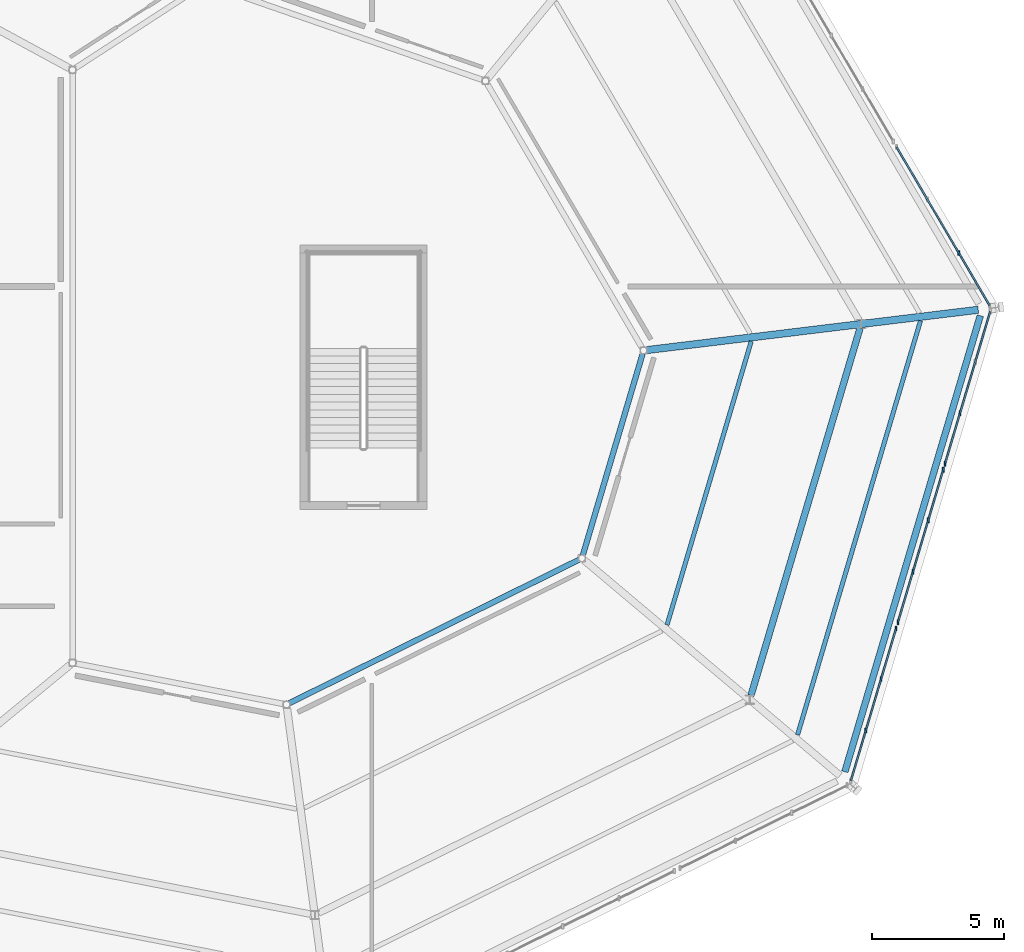
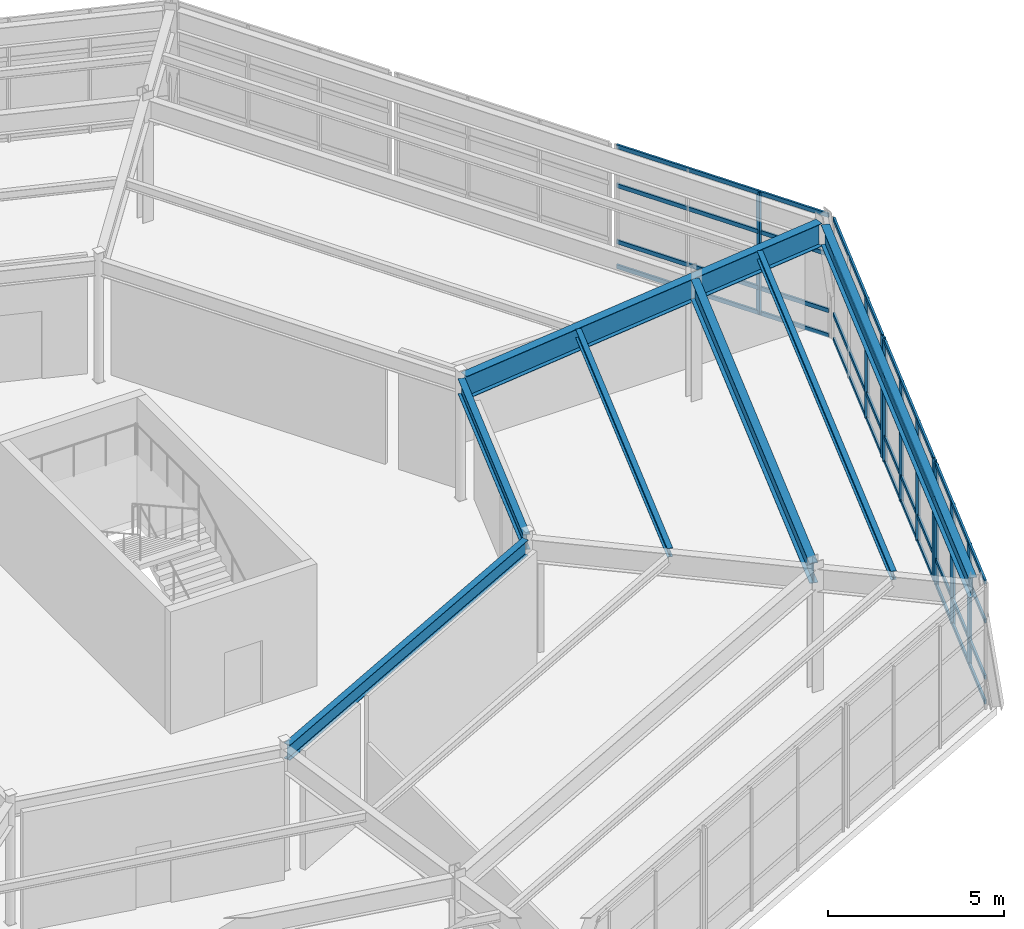
# One storey, part 34 of 69: 26 members, 7 beams, 4 elements without a shape of their own.
"""IFC4 building model written with IfcOpenShell, lengths in metres."""

from ifc_helpers import new_model, si_unit, direction, frame, origin, origin_2d, place, context, subcontext, project, spatial, rectangle, i_section, extrude, material, material_profile, profile_set, type_object, element, aggregate, save


model = new_model("IFC4")

# Units and contexts
model_context = context("Model", 3, precision=1e-05, world=origin(), true_north=direction((0.0, 1.0)))
body_context = subcontext(model_context, "Body", "Model", "MODEL_VIEW")
ifc_project = project(units=[si_unit("LENGTHUNIT", "METRE"), si_unit("AREAUNIT", "SQUARE_METRE"), si_unit("VOLUMEUNIT", "CUBIC_METRE"), si_unit("PLANEANGLEUNIT", "RADIAN"), si_unit("MASSUNIT", "GRAM", prefix="KILO")], contexts=[model_context])

# Site, building, storey
site_placement = place(None, origin())
site = spatial("IfcSite", under=ifc_project, at=site_placement, CompositionType="ELEMENT")
building_placement = place(site_placement, origin())
building = spatial("IfcBuilding", under=site, at=building_placement, Name="Sarnbrook Museum", CompositionType="ELEMENT")
storey_placement = place(building_placement, frame((0.0, 0.0, 14.60009765625)))
storey = spatial("IfcBuildingStorey", under=building, at=storey_placement, Name="L03", CompositionType="ELEMENT", Elevation=14.60009765625)

# Beams
ifc_material_1 = material(Name="Structural Steel Grade 300PLUS (AS/NZS 3679.1, fy = 280 MPa for 17 < t <= 40 mm, 300 MPa for t <= 17 mm)", Category="steel")
ifc_material_profile_1 = material_profile(ifc_material_1, i_section(OverallWidth=0.208984375, OverallDepth=0.532958984375, WebThickness=0.01025390625, FlangeThickness=0.015625, FilletRadius=0.013916015625, at=origin_2d()), Name="530UB92.4")
ifc_profile_set_1 = profile_set([ifc_material_profile_1], Name="Structural Steel Grade 300PLUS (AS/NZS 3679.1, fy = 280 MPa for 17 < t <= 40 mm, 300 MPa for t <= 17 mm)")
beam_type_1 = type_object("IfcBeamType", Name="BM-UB530", PredefinedType="BEAM", material=ifc_profile_set_1)
beam_1_placement = place(storey_placement, frame((140.99462890625, 72.882080078125, 3.973388671875), z_axis=(0.896163006555, 0.443724988796, 0.0), x_axis=(-0.443724988796, 0.896163006555, 0.0)))
element("IfcBeam", 1, at=beam_1_placement, inside=storey, type_object=beam_type_1, Name="Crystal Hall R2 Ring Girder 2 L03", PredefinedType="BEAM", context=body_context, shape_type="SweptSolid", body=[
    extrude(i_section(OverallWidth=0.208984375, OverallDepth=0.532958984375, WebThickness=0.01025390625, FlangeThickness=0.015625, FilletRadius=0.013916015625, at=origin_2d()), origin(), (0.0, 0.0, 1.0), 12.216796875),
])
beam_2_placement = place(storey_placement, frame((152.08447265625, 78.47119140625, 3.973388671875), z_axis=(0.284603578138, 0.958645295879, 0.0), x_axis=(-0.958645295879, 0.284603578138, 0.0)))
element("IfcBeam", 2, at=beam_2_placement, inside=storey, type_object=beam_type_1, Name="Crystal Hall R2 Ring Girder 3 L03", PredefinedType="BEAM", context=body_context, shape_type="SweptSolid", body=[
    extrude(i_section(OverallWidth=0.208984375, OverallDepth=0.532958984375, WebThickness=0.01025390625, FlangeThickness=0.015625, FilletRadius=0.013916015625, at=origin_2d()), origin(), (0.0, 0.0, 1.0), 7.952880859375),
])
ifc_material_2 = material(Name="Structural Steel Grade 350L0 (AS/NZS 3678, fy = 340 MPa for 20 < t <= 40 mm)", Category="steel")
ifc_material_profile_2 = material_profile(ifc_material_2, i_section(OverallWidth=0.25, OverallDepth=0.699951171875, WebThickness=0.010009765625, FlangeThickness=0.01611328125, at=origin_2d()), Name="700WB130")
ifc_profile_set_2 = profile_set([ifc_material_profile_2], Name="Structural Steel Grade 350L0 (AS/NZS 3678, fy = 340 MPa for 20 < t <= 40 mm)")
beam_type_2 = type_object("IfcBeamType", Name="BM-WB700", PredefinedType="BEAM", material=ifc_profile_set_2)
beam_3_placement = place(storey_placement, frame((161.98779296875, 70.28857421875, 3.889892578125), z_axis=(0.28460881643, 0.958643740714, 0.0), x_axis=(-0.958643740714, 0.28460881643, 0.0)))
element("IfcBeam", 3, at=beam_3_placement, inside=storey, type_object=beam_type_2, Name="Crystal Hall Perimeter Ring Girder 3 L03", PredefinedType="BEAM", context=body_context, shape_type="SweptSolid", body=[
    extrude(i_section(OverallWidth=0.25, OverallDepth=0.699951171875, WebThickness=0.010009765625, FlangeThickness=0.01611328125, at=origin_2d()), origin(), (0.0, 0.0, 1.0), 17.9814453125),
])
beam_4_placement = place(storey_placement, frame((158.438232421875, 73.169189453125, 3.889892578125), z_axis=(0.284607000201, 0.958644279927, 0.0), x_axis=(-0.958644279927, 0.284607000201, 0.0)))
element("IfcBeam", 4, at=beam_4_placement, inside=storey, type_object=beam_type_2, Name="Crystal Hall R1 Ring Girder 3 L03", PredefinedType="BEAM", context=body_context, shape_type="SweptSolid", body=[
    extrude(i_section(OverallWidth=0.25, OverallDepth=0.699951171875, WebThickness=0.010009765625, FlangeThickness=0.01611328125, at=origin_2d()), origin(), (0.0, 0.0, 1.0), 14.48681640625),
])
ifc_material_profile_3 = material_profile(ifc_material_2, i_section(OverallWidth=0.27490234375, OverallDepth=0.800048828125, WebThickness=0.010009765625, FlangeThickness=0.01611328125, at=origin_2d()), Name="800WB146")
ifc_profile_set_3 = profile_set([ifc_material_profile_3], Name="Structural Steel Grade 350L0 (AS/NZS 3678, fy = 340 MPa for 20 < t <= 40 mm)")
beam_type_3 = type_object("IfcBeamType", Name="CR-CANT", PredefinedType="BEAM", material=ifc_profile_set_3)
beam_5_placement = place(storey_placement, frame((154.501220703125, 86.224609375, 3.83984375), z_axis=(0.992685517343, 0.120728884935, 0.0), x_axis=(-0.120728884935, 0.992685517343, 0.0)))
element("IfcBeam", 5, at=beam_5_placement, inside=storey, type_object=beam_type_3, Name="Crystal Hall Radial Cantilever Girder 4 L03", PredefinedType="BEAM", context=body_context, shape_type="SweptSolid", body=[
    extrude(i_section(OverallWidth=0.27490234375, OverallDepth=0.800048828125, WebThickness=0.010009765625, FlangeThickness=0.01611328125, at=origin_2d()), origin(), (0.0, 0.0, 1.0), 12.61865234375),
])

# Curtain wall, members
ifc_material_3 = material(Name="Thermally Broken Anodised Aluminium 6063-T6", Category="aluminium")
curtain_wall_type = type_object("IfcCurtainWallType", Name="CurtainWall_CrystalFacet", PredefinedType="NOTDEFINED", material=ifc_material_3)
curtain_wall_1_placement = place(storey_placement, origin())
curtain_wall_1 = element("IfcCurtainWall", 6, at=curtain_wall_1_placement, inside=storey, type_object=curtain_wall_type, Name="Crystal Hall Facet Curtain Wall L03-F3.1", PredefinedType="NOTDEFINED")
ifc_material_profile_4 = material_profile(ifc_material_3, rectangle(XDim=0.06494140625, YDim=0.179931640625, at=origin_2d()), Name="ALU MULLION 65x180")
ifc_profile_set_4 = profile_set([ifc_material_profile_4], Name="Thermally Broken Anodised Aluminium 6063-T6")
member_type_1 = type_object("IfcMemberType", Name="CW_Mullion_180x75", PredefinedType="MULLION", material=ifc_profile_set_4)
member_1_placement = place(storey_placement, frame((162.77880859375, 71.851806640625, 0.0), z_axis=(0.0, 0.0, 1.0), x_axis=(1.0, 0.0, 0.0)))
member_1 = element("IfcMember", 7, at=member_1_placement, type_object=member_type_1, Name="Crystal Hall Facet Curtain Wall L03-F3.1 Mullion 2", PredefinedType="MULLION", context=body_context, shape_type="SweptSolid", body=[
    extrude(rectangle(XDim=0.06494140625, YDim=0.179931640625, at=origin_2d()), origin(), (0.0, 0.0, 1.0), 4.239990234375),
])
member_2_placement = place(storey_placement, frame((163.356689453125, 73.79833984375, 0.0), z_axis=(0.0, 0.0, 1.0), x_axis=(1.0, 0.0, 0.0)))
member_2 = element("IfcMember", 8, at=member_2_placement, type_object=member_type_1, Name="Crystal Hall Facet Curtain Wall L03-F3.1 Mullion 3", PredefinedType="MULLION", context=body_context, shape_type="SweptSolid", body=[
    extrude(rectangle(XDim=0.06494140625, YDim=0.179931640625, at=origin_2d()), origin(), (0.0, 0.0, 1.0), 4.239990234375),
])
member_3_placement = place(storey_placement, frame((163.923095703125, 75.70654296875, 0.0), z_axis=(0.0, 0.0, 1.0), x_axis=(1.0, 0.0, 0.0)))
member_3 = element("IfcMember", 9, at=member_3_placement, type_object=member_type_1, Name="Crystal Hall Facet Curtain Wall L03-F3.1 Mullion 4", PredefinedType="MULLION", context=body_context, shape_type="SweptSolid", body=[
    extrude(rectangle(XDim=0.06494140625, YDim=0.179931640625, at=origin_2d()), origin(), (0.0, 0.0, 1.0), 4.239990234375),
])

curtain_wall_2_placement = place(storey_placement, origin())
curtain_wall_2 = element("IfcCurtainWall", 10, at=curtain_wall_2_placement, inside=storey, type_object=curtain_wall_type, Name="Crystal Hall Facet Curtain Wall L03-F3.2", PredefinedType="NOTDEFINED")
member_4_placement = place(storey_placement, frame((163.991455078125, 75.9365234375, 0.0), z_axis=(0.0, 0.0, 1.0), x_axis=(1.0, 0.0, 0.0)))
member_4 = element("IfcMember", 11, at=member_4_placement, type_object=member_type_1, Name="Crystal Hall Facet Curtain Wall L03-F3.2 Mullion 1", PredefinedType="MULLION", context=body_context, shape_type="SweptSolid", body=[
    extrude(rectangle(XDim=0.06494140625, YDim=0.179931640625, at=origin_2d()), origin(), (0.0, 0.0, 1.0), 4.239990234375),
])
member_5_placement = place(storey_placement, frame((164.55810546875, 77.8447265625, 0.0), z_axis=(0.0, 0.0, 1.0), x_axis=(1.0, 0.0, 0.0)))
member_5 = element("IfcMember", 12, at=member_5_placement, type_object=member_type_1, Name="Crystal Hall Facet Curtain Wall L03-F3.2 Mullion 2", PredefinedType="MULLION", context=body_context, shape_type="SweptSolid", body=[
    extrude(rectangle(XDim=0.06494140625, YDim=0.179931640625, at=origin_2d()), origin(), (0.0, 0.0, 1.0), 4.239990234375),
])
member_6_placement = place(storey_placement, frame((165.135986328125, 79.791259765625, 0.0), z_axis=(0.0, 0.0, 1.0), x_axis=(1.0, 0.0, 0.0)))
member_6 = element("IfcMember", 13, at=member_6_placement, type_object=member_type_1, Name="Crystal Hall Facet Curtain Wall L03-F3.2 Mullion 3", PredefinedType="MULLION", context=body_context, shape_type="SweptSolid", body=[
    extrude(rectangle(XDim=0.06494140625, YDim=0.179931640625, at=origin_2d()), origin(), (0.0, 0.0, 1.0), 4.239990234375),
])
member_7_placement = place(storey_placement, frame((165.702392578125, 81.699462890625, 0.0), z_axis=(0.0, 0.0, 1.0), x_axis=(1.0, 0.0, 0.0)))
member_7 = element("IfcMember", 14, at=member_7_placement, type_object=member_type_1, Name="Crystal Hall Facet Curtain Wall L03-F3.2 Mullion 4", PredefinedType="MULLION", context=body_context, shape_type="SweptSolid", body=[
    extrude(rectangle(XDim=0.06494140625, YDim=0.179931640625, at=origin_2d()), origin(), (0.0, 0.0, 1.0), 4.239990234375),
])

curtain_wall_3_placement = place(storey_placement, origin())
curtain_wall_3 = element("IfcCurtainWall", 15, at=curtain_wall_3_placement, inside=storey, type_object=curtain_wall_type, Name="Crystal Hall Facet Curtain Wall L03-F3.3", PredefinedType="NOTDEFINED")
member_8_placement = place(storey_placement, frame((165.770751953125, 81.929443359375, 0.0), z_axis=(0.0, 0.0, 1.0), x_axis=(1.0, 0.0, 0.0)))
member_8 = element("IfcMember", 16, at=member_8_placement, type_object=member_type_1, Name="Crystal Hall Facet Curtain Wall L03-F3.3 Mullion 1", PredefinedType="MULLION", context=body_context, shape_type="SweptSolid", body=[
    extrude(rectangle(XDim=0.06494140625, YDim=0.179931640625, at=origin_2d()), origin(), (0.0, 0.0, 1.0), 4.239990234375),
])
member_9_placement = place(storey_placement, frame((166.337158203125, 83.837646484375, 0.0), z_axis=(0.0, 0.0, 1.0), x_axis=(1.0, 0.0, 0.0)))
member_9 = element("IfcMember", 17, at=member_9_placement, type_object=member_type_1, Name="Crystal Hall Facet Curtain Wall L03-F3.3 Mullion 2", PredefinedType="MULLION", context=body_context, shape_type="SweptSolid", body=[
    extrude(rectangle(XDim=0.06494140625, YDim=0.179931640625, at=origin_2d()), origin(), (0.0, 0.0, 1.0), 4.239990234375),
])

# Curtain wall, member
curtain_wall_4_placement = place(storey_placement, origin())
curtain_wall_4 = element("IfcCurtainWall", 18, at=curtain_wall_4_placement, inside=storey, type_object=curtain_wall_type, Name="Crystal Hall Facet Curtain Wall L03-F4.1", PredefinedType="NOTDEFINED")
member_10_placement = place(storey_placement, frame((166.29052734375, 89.8955078125, 0.0), z_axis=(0.0, 0.0, 1.0), x_axis=(1.0, 0.0, 0.0)))
member_10 = element("IfcMember", 19, at=member_10_placement, type_object=member_type_1, Name="Crystal Hall Facet Curtain Wall L03-F4.1 Mullion 2", PredefinedType="MULLION", context=body_context, shape_type="SweptSolid", body=[
    extrude(rectangle(XDim=0.06494140625, YDim=0.179931640625, at=origin_2d()), origin(), (0.0, 0.0, 1.0), 4.239990234375),
])

# Member
ifc_material_profile_5 = material_profile(ifc_material_3, rectangle(XDim=0.06494140625, YDim=0.139892578125, at=origin_2d()), Name="ALU TRANSOM 65x140")
ifc_profile_set_5 = profile_set([ifc_material_profile_5], Name="Thermally Broken Anodised Aluminium 6063-T6")
member_type_2 = type_object("IfcMemberType", Name="CW_Transom_150x65", PredefinedType="USERDEFINED", material=ifc_profile_set_5)
member_11_placement = place(storey_placement, frame((162.215087890625, 69.953369140625, 0.039794921875), z_axis=(0.284625203793, 0.958638875367, 0.0), x_axis=(-0.958638875367, 0.284625203793, 0.0)))
member_11 = element("IfcMember", 20, at=member_11_placement, type_object=member_type_2, Name="Crystal Hall Facet Curtain Wall L03-F3.1 Transom 1", ObjectType="TRANSOM", PredefinedType="USERDEFINED", context=body_context, shape_type="SweptSolid", body=[
    extrude(rectangle(XDim=0.06494140625, YDim=0.139892578125, at=origin_2d()), origin(), (0.0, 0.0, 1.0), 5.991455078125),
])

member_12_placement = place(storey_placement, frame((162.215087890625, 69.953369140625, 0.89990234375), z_axis=(0.284625203793, 0.958638875367, 0.0), x_axis=(-0.958638875367, 0.284625203793, 0.0)))
member_12 = element("IfcMember", 21, at=member_12_placement, type_object=member_type_2, Name="Crystal Hall Facet Curtain Wall L03-F3.1 Transom 2", ObjectType="TRANSOM", PredefinedType="USERDEFINED", context=body_context, shape_type="SweptSolid", body=[
    extrude(rectangle(XDim=0.06494140625, YDim=0.139892578125, at=origin_2d()), origin(), (0.0, 0.0, 1.0), 5.991455078125),
])

member_13_placement = place(storey_placement, frame((162.215087890625, 69.953369140625, 2.849853515625), z_axis=(0.284625203793, 0.958638875367, 0.0), x_axis=(-0.958638875367, 0.284625203793, 0.0)))
member_13 = element("IfcMember", 22, at=member_13_placement, type_object=member_type_2, Name="Crystal Hall Facet Curtain Wall L03-F3.1 Transom 3", ObjectType="TRANSOM", PredefinedType="USERDEFINED", context=body_context, shape_type="SweptSolid", body=[
    extrude(rectangle(XDim=0.06494140625, YDim=0.139892578125, at=origin_2d()), origin(), (0.0, 0.0, 1.0), 5.991455078125),
])

member_14_placement = place(storey_placement, frame((162.215087890625, 69.953369140625, 4.199951171875), z_axis=(0.284625203793, 0.958638875367, 0.0), x_axis=(-0.958638875367, 0.284625203793, 0.0)))
member_14 = element("IfcMember", 23, at=member_14_placement, type_object=member_type_2, Name="Crystal Hall Facet Curtain Wall L03-F3.1 Transom 4", ObjectType="TRANSOM", PredefinedType="USERDEFINED", context=body_context, shape_type="SweptSolid", body=[
    extrude(rectangle(XDim=0.06494140625, YDim=0.139892578125, at=origin_2d()), origin(), (0.0, 0.0, 1.0), 5.991455078125),
])

aggregate(curtain_wall_1, [member_1, member_2, member_3, member_11, member_12, member_13, member_14])

member_15_placement = place(storey_placement, frame((163.994384765625, 75.9462890625, 0.039794921875), z_axis=(0.284598873575, 0.958646692562, 0.0), x_axis=(-0.958646692562, 0.284598873575, 0.0)))
member_15 = element("IfcMember", 24, at=member_15_placement, type_object=member_type_2, Name="Crystal Hall Facet Curtain Wall L03-F3.2 Transom 1", ObjectType="TRANSOM", PredefinedType="USERDEFINED", context=body_context, shape_type="SweptSolid", body=[
    extrude(rectangle(XDim=0.06494140625, YDim=0.139892578125, at=origin_2d()), origin(), (0.0, 0.0, 1.0), 5.9912109375),
])

member_16_placement = place(storey_placement, frame((163.994384765625, 75.9462890625, 0.89990234375), z_axis=(0.284598873575, 0.958646692562, 0.0), x_axis=(-0.958646692562, 0.284598873575, 0.0)))
member_16 = element("IfcMember", 25, at=member_16_placement, type_object=member_type_2, Name="Crystal Hall Facet Curtain Wall L03-F3.2 Transom 2", ObjectType="TRANSOM", PredefinedType="USERDEFINED", context=body_context, shape_type="SweptSolid", body=[
    extrude(rectangle(XDim=0.06494140625, YDim=0.139892578125, at=origin_2d()), origin(), (0.0, 0.0, 1.0), 5.9912109375),
])

member_17_placement = place(storey_placement, frame((163.994384765625, 75.9462890625, 2.849853515625), z_axis=(0.284598873575, 0.958646692562, 0.0), x_axis=(-0.958646692562, 0.284598873575, 0.0)))
member_17 = element("IfcMember", 26, at=member_17_placement, type_object=member_type_2, Name="Crystal Hall Facet Curtain Wall L03-F3.2 Transom 3", ObjectType="TRANSOM", PredefinedType="USERDEFINED", context=body_context, shape_type="SweptSolid", body=[
    extrude(rectangle(XDim=0.06494140625, YDim=0.139892578125, at=origin_2d()), origin(), (0.0, 0.0, 1.0), 5.9912109375),
])

member_18_placement = place(storey_placement, frame((163.994384765625, 75.9462890625, 4.199951171875), z_axis=(0.284598873575, 0.958646692562, 0.0), x_axis=(-0.958646692562, 0.284598873575, 0.0)))
member_18 = element("IfcMember", 27, at=member_18_placement, type_object=member_type_2, Name="Crystal Hall Facet Curtain Wall L03-F3.2 Transom 4", ObjectType="TRANSOM", PredefinedType="USERDEFINED", context=body_context, shape_type="SweptSolid", body=[
    extrude(rectangle(XDim=0.06494140625, YDim=0.139892578125, at=origin_2d()), origin(), (0.0, 0.0, 1.0), 5.9912109375),
])

aggregate(curtain_wall_2, [member_4, member_5, member_6, member_7, member_15, member_16, member_17, member_18])

member_19_placement = place(storey_placement, frame((165.7734375, 81.939208984375, 0.039794921875), z_axis=(0.28463632243, 0.958635574112, 0.0), x_axis=(-0.958635574112, 0.28463632243, 0.0)))
member_19 = element("IfcMember", 28, at=member_19_placement, type_object=member_type_2, Name="Crystal Hall Facet Curtain Wall L03-F3.3 Transom 1", ObjectType="TRANSOM", PredefinedType="USERDEFINED", context=body_context, shape_type="SweptSolid", body=[
    extrude(rectangle(XDim=0.06494140625, YDim=0.139892578125, at=origin_2d()), origin(), (0.0, 0.0, 1.0), 5.9912109375),
])

member_20_placement = place(storey_placement, frame((165.7734375, 81.939208984375, 0.89990234375), z_axis=(0.28463632243, 0.958635574112, 0.0), x_axis=(-0.958635574112, 0.28463632243, 0.0)))
member_20 = element("IfcMember", 29, at=member_20_placement, type_object=member_type_2, Name="Crystal Hall Facet Curtain Wall L03-F3.3 Transom 2", ObjectType="TRANSOM", PredefinedType="USERDEFINED", context=body_context, shape_type="SweptSolid", body=[
    extrude(rectangle(XDim=0.06494140625, YDim=0.139892578125, at=origin_2d()), origin(), (0.0, 0.0, 1.0), 5.9912109375),
])

member_21_placement = place(storey_placement, frame((165.7734375, 81.939208984375, 2.849853515625), z_axis=(0.28463632243, 0.958635574112, 0.0), x_axis=(-0.958635574112, 0.28463632243, 0.0)))
member_21 = element("IfcMember", 30, at=member_21_placement, type_object=member_type_2, Name="Crystal Hall Facet Curtain Wall L03-F3.3 Transom 3", ObjectType="TRANSOM", PredefinedType="USERDEFINED", context=body_context, shape_type="SweptSolid", body=[
    extrude(rectangle(XDim=0.06494140625, YDim=0.139892578125, at=origin_2d()), origin(), (0.0, 0.0, 1.0), 5.9912109375),
])

member_22_placement = place(storey_placement, frame((165.7734375, 81.939208984375, 4.199951171875), z_axis=(0.28463632243, 0.958635574112, 0.0), x_axis=(-0.958635574112, 0.28463632243, 0.0)))
member_22 = element("IfcMember", 31, at=member_22_placement, type_object=member_type_2, Name="Crystal Hall Facet Curtain Wall L03-F3.3 Transom 4", ObjectType="TRANSOM", PredefinedType="USERDEFINED", context=body_context, shape_type="SweptSolid", body=[
    extrude(rectangle(XDim=0.06494140625, YDim=0.139892578125, at=origin_2d()), origin(), (0.0, 0.0, 1.0), 5.9912109375),
])

aggregate(curtain_wall_3, [member_8, member_9, member_19, member_20, member_21, member_22])

member_23_placement = place(storey_placement, frame((167.449951171875, 87.91943359375, 0.039794921875), z_axis=(-0.506075124847, 0.86248940168, 0.0), x_axis=(-0.86248940168, -0.506075124847, 0.0)))
member_23 = element("IfcMember", 32, at=member_23_placement, type_object=member_type_2, Name="Crystal Hall Facet Curtain Wall L03-F4.1 Transom 1", ObjectType="TRANSOM", PredefinedType="USERDEFINED", context=body_context, shape_type="SweptSolid", body=[
    extrude(rectangle(XDim=0.06494140625, YDim=0.139892578125, at=origin_2d()), origin(), (0.0, 0.0, 1.0), 6.923095703125),
])

member_24_placement = place(storey_placement, frame((167.449951171875, 87.91943359375, 0.89990234375), z_axis=(-0.506075124847, 0.86248940168, 0.0), x_axis=(-0.86248940168, -0.506075124847, 0.0)))
member_24 = element("IfcMember", 33, at=member_24_placement, type_object=member_type_2, Name="Crystal Hall Facet Curtain Wall L03-F4.1 Transom 2", ObjectType="TRANSOM", PredefinedType="USERDEFINED", context=body_context, shape_type="SweptSolid", body=[
    extrude(rectangle(XDim=0.06494140625, YDim=0.139892578125, at=origin_2d()), origin(), (0.0, 0.0, 1.0), 6.923095703125),
])

member_25_placement = place(storey_placement, frame((167.449951171875, 87.91943359375, 2.849853515625), z_axis=(-0.506075124847, 0.86248940168, 0.0), x_axis=(-0.86248940168, -0.506075124847, 0.0)))
member_25 = element("IfcMember", 34, at=member_25_placement, type_object=member_type_2, Name="Crystal Hall Facet Curtain Wall L03-F4.1 Transom 3", ObjectType="TRANSOM", PredefinedType="USERDEFINED", context=body_context, shape_type="SweptSolid", body=[
    extrude(rectangle(XDim=0.06494140625, YDim=0.139892578125, at=origin_2d()), origin(), (0.0, 0.0, 1.0), 6.923095703125),
])

member_26_placement = place(storey_placement, frame((167.449951171875, 87.91943359375, 4.199951171875), z_axis=(-0.506075124847, 0.86248940168, 0.0), x_axis=(-0.86248940168, -0.506075124847, 0.0)))
member_26 = element("IfcMember", 35, at=member_26_placement, type_object=member_type_2, Name="Crystal Hall Facet Curtain Wall L03-F4.1 Transom 4", ObjectType="TRANSOM", PredefinedType="USERDEFINED", context=body_context, shape_type="SweptSolid", body=[
    extrude(rectangle(XDim=0.06494140625, YDim=0.139892578125, at=origin_2d()), origin(), (0.0, 0.0, 1.0), 6.923095703125),
])

aggregate(curtain_wall_4, [member_10, member_23, member_24, member_25, member_26])

# Beams
ifc_material_profile_6 = material_profile(ifc_material_1, i_section(OverallWidth=0.1650390625, OverallDepth=0.303955078125, WebThickness=0.006103515625, FlangeThickness=0.01025390625, FilletRadius=0.011474609375, at=origin_2d()), Name="310UB40.4")
ifc_profile_set_6 = profile_set([ifc_material_profile_6], Name="Structural Steel Grade 300PLUS (AS/NZS 3679.1, fy = 280 MPa for 17 < t <= 40 mm, 300 MPa for t <= 17 mm)")
beam_type_4 = type_object("IfcBeamType", Name="JS-UB310", PredefinedType="JOIST", material=ifc_profile_set_6)
beam_6_placement = place(storey_placement, frame((160.2001953125, 71.685791015625, 4.087890625), z_axis=(0.284606663867, 0.958644379779, 0.0), x_axis=(-0.958644379779, 0.284606663867, 0.0)))
element("IfcBeam", 36, at=beam_6_placement, inside=storey, type_object=beam_type_4, Name="Crystal Hall Tangential Joist MO-3 L03", PredefinedType="JOIST", context=body_context, shape_type="SweptSolid", body=[
    extrude(i_section(OverallWidth=0.1650390625, OverallDepth=0.303955078125, WebThickness=0.006103515625, FlangeThickness=0.01025390625, FilletRadius=0.011474609375, at=origin_2d()), origin(), (0.0, 0.0, 1.0), 16.32421875),
])
beam_7_placement = place(storey_placement, frame((155.26708984375, 75.83935546875, 4.087890625), z_axis=(0.284608009206, 0.958643980368, 0.0), x_axis=(-0.958643980368, 0.284608009206, 0.0)))
element("IfcBeam", 37, at=beam_7_placement, inside=storey, type_object=beam_type_4, Name="Crystal Hall Tangential Joist MI-3 L03", PredefinedType="JOIST", context=body_context, shape_type="SweptSolid", body=[
    extrude(i_section(OverallWidth=0.1650390625, OverallDepth=0.303955078125, WebThickness=0.006103515625, FlangeThickness=0.01025390625, FilletRadius=0.011474609375, at=origin_2d()), origin(), (0.0, 0.0, 1.0), 11.179931640625),
])

save(model, "model.ifc")
